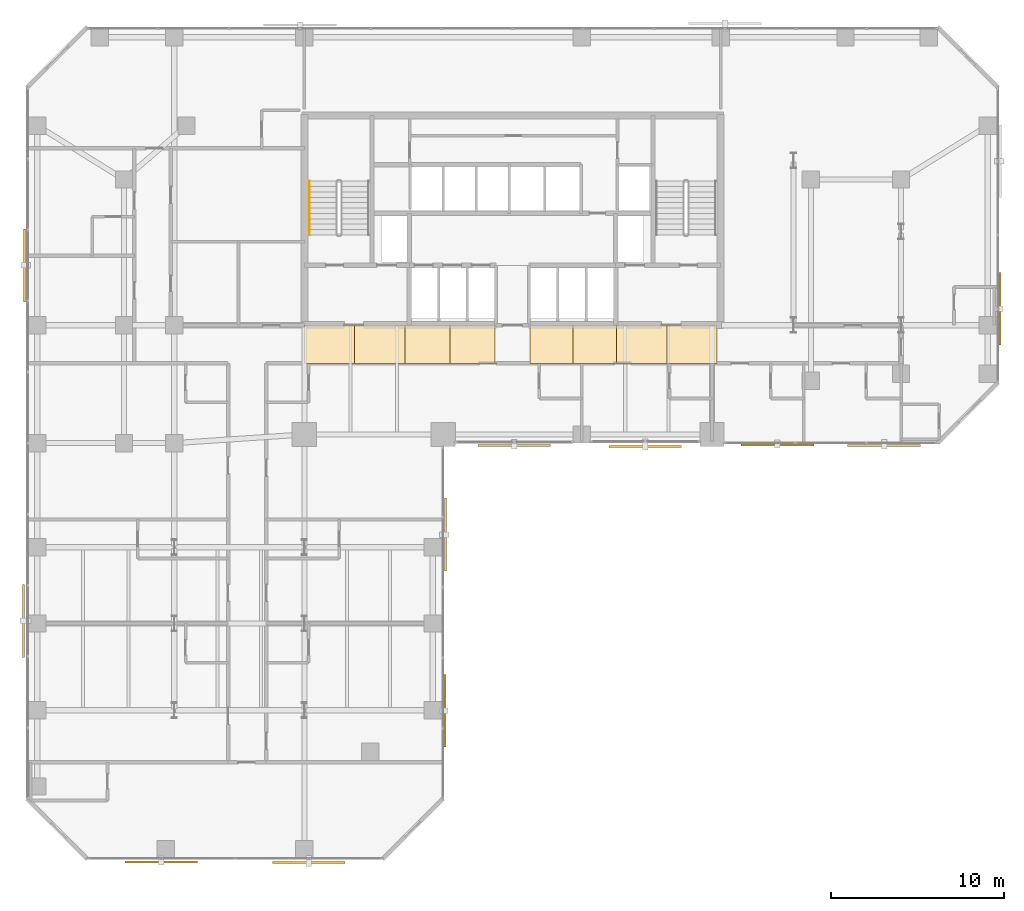
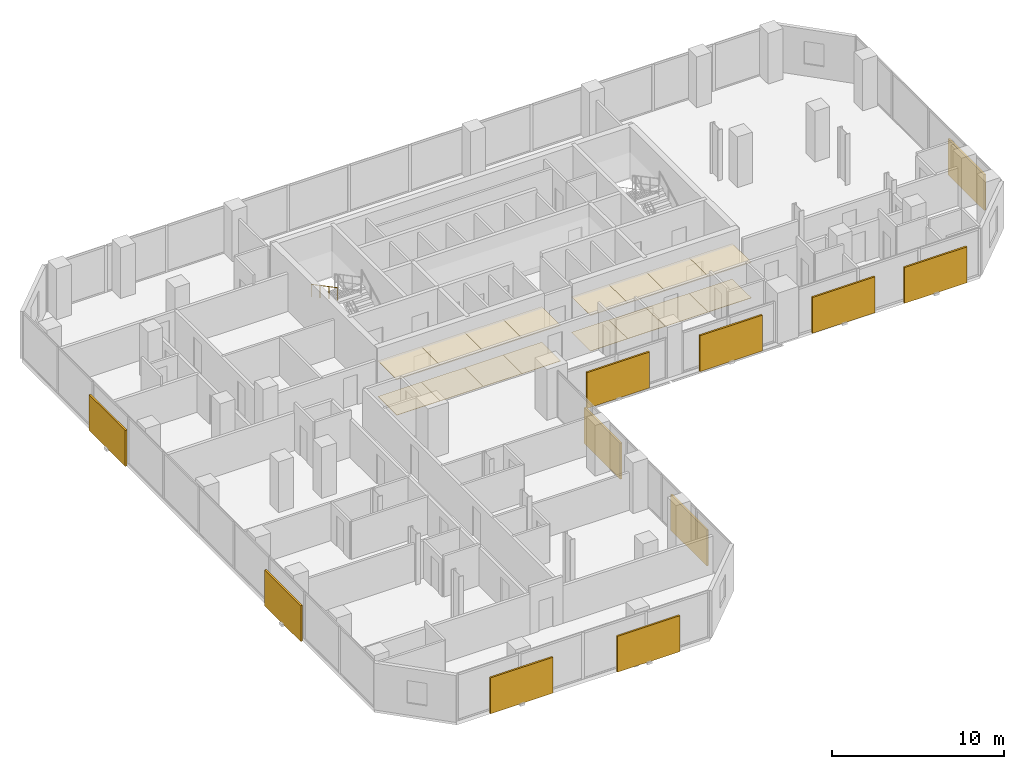
# One storey, part 31 of 32: 16 coverings, 11 shading devices, 1 railing.
"""IFC4 building model written with IfcOpenShell, lengths in metres."""

from ifc_helpers import new_model, si_unit, direction, frame, origin, origin_2d, place, context, subcontext, project, spatial, polyline, rectangle, circle, outline, extrude, material, layer, layer_set, type_object, element, save


model = new_model("IFC4")

# Units and contexts
model_context = context("Model", 3, precision=1e-05, world=origin(), true_north=direction((0.0, 1.0)))
body_context = subcontext(model_context, "Body", "Model", "MODEL_VIEW")
ifc_project = project(units=[si_unit("LENGTHUNIT", "METRE"), si_unit("AREAUNIT", "SQUARE_METRE"), si_unit("VOLUMEUNIT", "CUBIC_METRE"), si_unit("PLANEANGLEUNIT", "RADIAN"), si_unit("MASSUNIT", "GRAM", prefix="KILO")], contexts=[model_context])

# Site, building, storey
site_placement = place(None, origin())
site = spatial("IfcSite", under=ifc_project, at=site_placement, CompositionType="ELEMENT")
building_placement = place(site_placement, origin())
building = spatial("IfcBuilding", under=site, at=building_placement, Name="Catumbela Crestline Tower", CompositionType="ELEMENT")
storey_placement = place(building_placement, frame((0.0, 0.0, 33.0)))
storey = spatial("IfcBuildingStorey", under=building, at=storey_placement, Name="L07", CompositionType="ELEMENT", Elevation=33.0)

# Coverings
ifc_material_1 = material(Name="Mineral-fibre acoustic ceiling")
ifc_layer_1 = layer(ifc_material_1, 0.03, Name="Mineral-fibre acoustic ceiling")
ifc_layer_set_1 = layer_set([ifc_layer_1], Name="Mineral-fibre acoustic ceiling")
covering_type_1 = type_object("IfcCoveringType", Name="CC-AC", PredefinedType="CEILING", material=ifc_layer_set_1)
covering_1_placement = place(storey_placement, frame((0.0, 0.0, 2.52)))
element("IfcCovering", 1, at=covering_1_placement, inside=storey, type_object=covering_type_1, Name="L07 Corridor Acoustic Ceiling Bay 1", PredefinedType="CEILING", context=body_context, shape_type="SweptSolid", body=[
    extrude(outline(polyline([(16.0, 28.6), (18.9, 28.6), (18.9, 30.8), (16.0, 30.8), (16.0, 28.6)])), origin(), (0.0, 0.0, 1.0), 0.03),
])
covering_2_placement = place(storey_placement, frame((0.0, 0.0, 2.52)))
element("IfcCovering", 2, at=covering_2_placement, inside=storey, type_object=covering_type_1, Name="L07 Corridor Acoustic Ceiling Bay 2", PredefinedType="CEILING", context=body_context, shape_type="SweptSolid", body=[
    extrude(outline(polyline([(18.9, 28.6), (21.8, 28.6), (21.8, 30.8), (18.9, 30.8), (18.9, 28.6)])), origin(), (0.0, 0.0, 1.0), 0.03),
])
covering_3_placement = place(storey_placement, frame((0.0, 0.0, 2.52)))
element("IfcCovering", 3, at=covering_3_placement, inside=storey, type_object=covering_type_1, Name="L07 Corridor Acoustic Ceiling Bay 3", PredefinedType="CEILING", context=body_context, shape_type="SweptSolid", body=[
    extrude(outline(polyline([(21.8, 28.6), (24.4, 28.6), (24.4, 30.8), (21.8, 30.8), (21.8, 28.6)])), origin(), (0.0, 0.0, 1.0), 0.03),
])
covering_4_placement = place(storey_placement, frame((0.0, 0.0, 2.52)))
element("IfcCovering", 4, at=covering_4_placement, inside=storey, type_object=covering_type_1, Name="L07 Corridor Acoustic Ceiling Bay 4", PredefinedType="CEILING", context=body_context, shape_type="SweptSolid", body=[
    extrude(outline(polyline([(24.4, 28.6), (27.0, 28.6), (27.0, 30.8), (24.4, 30.8), (24.4, 28.6)])), origin(), (0.0, 0.0, 1.0), 0.03),
])
covering_5_placement = place(storey_placement, frame((0.0, 0.0, 2.52)))
element("IfcCovering", 5, at=covering_5_placement, inside=storey, type_object=covering_type_1, Name="L07 Corridor Acoustic Ceiling Bay 5", PredefinedType="CEILING", context=body_context, shape_type="SweptSolid", body=[
    extrude(outline(polyline([(29.0, 28.6), (31.5, 28.6), (31.5, 30.8), (29.0, 30.8), (29.0, 28.6)])), origin(), (0.0, 0.0, 1.0), 0.03),
])
covering_6_placement = place(storey_placement, frame((0.0, 0.0, 2.52)))
element("IfcCovering", 6, at=covering_6_placement, inside=storey, type_object=covering_type_1, Name="L07 Corridor Acoustic Ceiling Bay 6", PredefinedType="CEILING", context=body_context, shape_type="SweptSolid", body=[
    extrude(outline(polyline([(31.5, 28.6), (34.0, 28.6), (34.0, 30.8), (31.5, 30.8), (31.5, 28.6)])), origin(), (0.0, 0.0, 1.0), 0.03),
])
covering_7_placement = place(storey_placement, frame((0.0, 0.0, 2.52)))
element("IfcCovering", 7, at=covering_7_placement, inside=storey, type_object=covering_type_1, Name="L07 Corridor Acoustic Ceiling Bay 7", PredefinedType="CEILING", context=body_context, shape_type="SweptSolid", body=[
    extrude(outline(polyline([(34.0, 28.6), (36.9, 28.6), (36.9, 30.8), (34.0, 30.8), (34.0, 28.6)])), origin(), (0.0, 0.0, 1.0), 0.03),
])
covering_8_placement = place(storey_placement, frame((0.0, 0.0, 2.52)))
element("IfcCovering", 8, at=covering_8_placement, inside=storey, type_object=covering_type_1, Name="L07 Corridor Acoustic Ceiling Bay 8", PredefinedType="CEILING", context=body_context, shape_type="SweptSolid", body=[
    extrude(outline(polyline([(36.9, 28.6), (39.8, 28.6), (39.8, 30.8), (36.9, 30.8), (36.9, 28.6)])), origin(), (0.0, 0.0, 1.0), 0.03),
])
ifc_material_2 = material(Name="Angolan grey-ochre granite", Category="masonry")
ifc_layer_2 = layer(ifc_material_2, 0.025, Name="Angolan grey-ochre granite")
ifc_layer_set_2 = layer_set([ifc_layer_2], Name="Angolan grey-ochre granite")
covering_type_2 = type_object("IfcCoveringType", Name="CF-GR", PredefinedType="FLOORING", material=ifc_layer_set_2)
covering_9_placement = place(storey_placement, origin())
element("IfcCovering", 9, at=covering_9_placement, inside=storey, type_object=covering_type_2, Name="L07 Corridor Granite Flooring Bay 1", PredefinedType="FLOORING", context=body_context, shape_type="SweptSolid", body=[
    extrude(outline(polyline([(16.0, 28.6), (18.9, 28.6), (18.9, 30.8), (16.0, 30.8), (16.0, 28.6)])), origin(), (0.0, 0.0, 1.0), 0.025),
])
covering_10_placement = place(storey_placement, origin())
element("IfcCovering", 10, at=covering_10_placement, inside=storey, type_object=covering_type_2, Name="L07 Corridor Granite Flooring Bay 2", PredefinedType="FLOORING", context=body_context, shape_type="SweptSolid", body=[
    extrude(outline(polyline([(18.9, 28.6), (21.8, 28.6), (21.8, 30.8), (18.9, 30.8), (18.9, 28.6)])), origin(), (0.0, 0.0, 1.0), 0.025),
])
covering_11_placement = place(storey_placement, origin())
element("IfcCovering", 11, at=covering_11_placement, inside=storey, type_object=covering_type_2, Name="L07 Corridor Granite Flooring Bay 3", PredefinedType="FLOORING", context=body_context, shape_type="SweptSolid", body=[
    extrude(outline(polyline([(21.8, 28.6), (24.4, 28.6), (24.4, 30.8), (21.8, 30.8), (21.8, 28.6)])), origin(), (0.0, 0.0, 1.0), 0.025),
])
covering_12_placement = place(storey_placement, origin())
element("IfcCovering", 12, at=covering_12_placement, inside=storey, type_object=covering_type_2, Name="L07 Corridor Granite Flooring Bay 4", PredefinedType="FLOORING", context=body_context, shape_type="SweptSolid", body=[
    extrude(outline(polyline([(24.4, 28.6), (27.0, 28.6), (27.0, 30.8), (24.4, 30.8), (24.4, 28.6)])), origin(), (0.0, 0.0, 1.0), 0.025),
])
covering_13_placement = place(storey_placement, origin())
element("IfcCovering", 13, at=covering_13_placement, inside=storey, type_object=covering_type_2, Name="L07 Corridor Granite Flooring Bay 5", PredefinedType="FLOORING", context=body_context, shape_type="SweptSolid", body=[
    extrude(outline(polyline([(29.0, 28.6), (31.5, 28.6), (31.5, 30.8), (29.0, 30.8), (29.0, 28.6)])), origin(), (0.0, 0.0, 1.0), 0.025),
])
covering_14_placement = place(storey_placement, origin())
element("IfcCovering", 14, at=covering_14_placement, inside=storey, type_object=covering_type_2, Name="L07 Corridor Granite Flooring Bay 6", PredefinedType="FLOORING", context=body_context, shape_type="SweptSolid", body=[
    extrude(outline(polyline([(31.5, 28.6), (34.0, 28.6), (34.0, 30.8), (31.5, 30.8), (31.5, 28.6)])), origin(), (0.0, 0.0, 1.0), 0.025),
])
covering_15_placement = place(storey_placement, origin())
element("IfcCovering", 15, at=covering_15_placement, inside=storey, type_object=covering_type_2, Name="L07 Corridor Granite Flooring Bay 7", PredefinedType="FLOORING", context=body_context, shape_type="SweptSolid", body=[
    extrude(outline(polyline([(34.0, 28.6), (36.9, 28.6), (36.9, 30.8), (34.0, 30.8), (34.0, 28.6)])), origin(), (0.0, 0.0, 1.0), 0.025),
])
covering_16_placement = place(storey_placement, origin())
element("IfcCovering", 16, at=covering_16_placement, inside=storey, type_object=covering_type_2, Name="L07 Corridor Granite Flooring Bay 8", PredefinedType="FLOORING", context=body_context, shape_type="SweptSolid", body=[
    extrude(outline(polyline([(36.9, 28.6), (39.8, 28.6), (39.8, 30.8), (36.9, 30.8), (36.9, 28.6)])), origin(), (0.0, 0.0, 1.0), 0.025),
])

# Railing
ifc_material_3 = material(Name="Stainless steel EN 1.4401", Category="steel")
railing_type = type_object("IfcRailingType", Name="RH-0900", PredefinedType="HANDRAIL", material=ifc_material_3)
railing_placement = place(storey_placement, frame((16.3, 39.1, 1.9636)))
element("IfcRailing", 17, at=railing_placement, inside=storey, type_object=railing_type, Name="L07 ST-01 stair handrail 2", PredefinedType="HANDRAIL", context=body_context, shape_type="SweptSolid", body=[
    extrude(circle(Radius=0.024, at=origin_2d()), frame((0.0, 0.0, 0.876), z_axis=(0.0, -0.884350731049, 0.466823076222), x_axis=(1.0, 0.0, 0.0)), (0.0, 0.0, 1.0), 3.5054),
    extrude(circle(Radius=0.021, at=origin_2d()), origin(), (0.0, 0.0, 1.0), 0.852),
    extrude(circle(Radius=0.021, at=origin_2d()), frame((0.0, -1.0333, 0.5455)), (0.0, 0.0, 1.0), 0.852),
    extrude(circle(Radius=0.021, at=origin_2d()), frame((0.0, -2.0667, 1.0909)), (0.0, 0.0, 1.0), 0.852),
    extrude(circle(Radius=0.021, at=origin_2d()), frame((0.0, -3.1, 1.6364)), (0.0, 0.0, 1.0), 0.852),
])

# Shading devices
ifc_material_4 = material(Name="Extruded terracotta ceramic", Category="masonry")
shading_device_type_1 = type_object("IfcShadingDeviceType", Name="ST-180", PredefinedType="USERDEFINED", material=ifc_material_4)
for number, where, z_axis, x_axis, name in (
    (18, (24.099, 8.575, -0.1), (0.0, 0.0, 1.0), (0.0, 1.0, 0.0), "L07 Perforated Terracotta Solar Screen 31 (180 mm)"),
    (19, (43.275, 23.901, -0.1), (0.0, 0.0, 1.0), (1.0, 0.0, 0.0), "L07 Perforated Terracotta Solar Screen 35 (180 mm)"),
    (20, (56.099, 31.75, -0.1), (0.0, 0.0, 1.0), (0.0, 1.0, 0.0), "L07 Perforated Terracotta Solar Screen 37 (180 mm)"),
):
    element("IfcShadingDevice", number, at=place(storey_placement, frame(where, z_axis=z_axis, x_axis=x_axis)), inside=storey, type_object=shading_device_type_1, Name=name, ObjectType="SCREEN", PredefinedType="USERDEFINED", context=body_context, shape_type="SweptSolid", body=[
        extrude(rectangle(XDim=4.2, YDim=0.12, at=origin_2d()), origin(), (0.0, 0.0, 1.0), 2.55),
    ])
shading_device_type_2 = type_object("IfcShadingDeviceType", Name="ST-260", PredefinedType="USERDEFINED", material=ifc_material_4)
for number, where, z_axis, x_axis, name in (
    (21, (7.75, -0.143, -0.1), (0.0, 0.0, 1.0), (1.0, 0.0, 0.0), "L07 Perforated Terracotta Solar Screen 29 (260 mm)"),
    (22, (24.143, 18.725, -0.1), (0.0, 0.0, 1.0), (0.0, 1.0, 0.0), "L07 Perforated Terracotta Solar Screen 32 (260 mm)"),
    (23, (28.1, 23.857, -0.1), (0.0, 0.0, 1.0), (1.0, 0.0, 0.0), "L07 Perforated Terracotta Solar Screen 33 (260 mm)"),
    (24, (49.425, 23.857, -0.1), (0.0, 0.0, 1.0), (1.0, 0.0, 0.0), "L07 Perforated Terracotta Solar Screen 36 (260 mm)"),
    (25, (-0.143, 34.25, -0.1), (0.0, 0.0, 1.0), (0.0, -1.0, 0.0), "L07 Perforated Terracotta Solar Screen 41 (260 mm)"),
):
    element("IfcShadingDevice", number, at=place(storey_placement, frame(where, z_axis=z_axis, x_axis=x_axis)), inside=storey, type_object=shading_device_type_2, Name=name, ObjectType="SCREEN", PredefinedType="USERDEFINED", context=body_context, shape_type="SweptSolid", body=[
        extrude(rectangle(XDim=4.2, YDim=0.12, at=origin_2d()), origin(), (0.0, 0.0, 1.0), 2.55),
    ])
shading_device_type_3 = type_object("IfcShadingDeviceType", Name="ST-340", PredefinedType="USERDEFINED", material=ifc_material_4)
for number, where, z_axis, x_axis, name in (
    (26, (16.25, -0.187, -0.1), (0.0, 0.0, 1.0), (1.0, 0.0, 0.0), "L07 Perforated Terracotta Solar Screen 30 (340 mm)"),
    (27, (35.65, 23.813, -0.1), (0.0, 0.0, 1.0), (1.0, 0.0, 0.0), "L07 Perforated Terracotta Solar Screen 34 (340 mm)"),
    (28, (-0.187, 13.75, -0.1), (0.0, 0.0, 1.0), (0.0, -1.0, 0.0), "L07 Perforated Terracotta Solar Screen 42 (340 mm)"),
):
    element("IfcShadingDevice", number, at=place(storey_placement, frame(where, z_axis=z_axis, x_axis=x_axis)), inside=storey, type_object=shading_device_type_3, Name=name, ObjectType="SCREEN", PredefinedType="USERDEFINED", context=body_context, shape_type="SweptSolid", body=[
        extrude(rectangle(XDim=4.2, YDim=0.12, at=origin_2d()), origin(), (0.0, 0.0, 1.0), 2.55),
    ])

save(model, "model.ifc")
